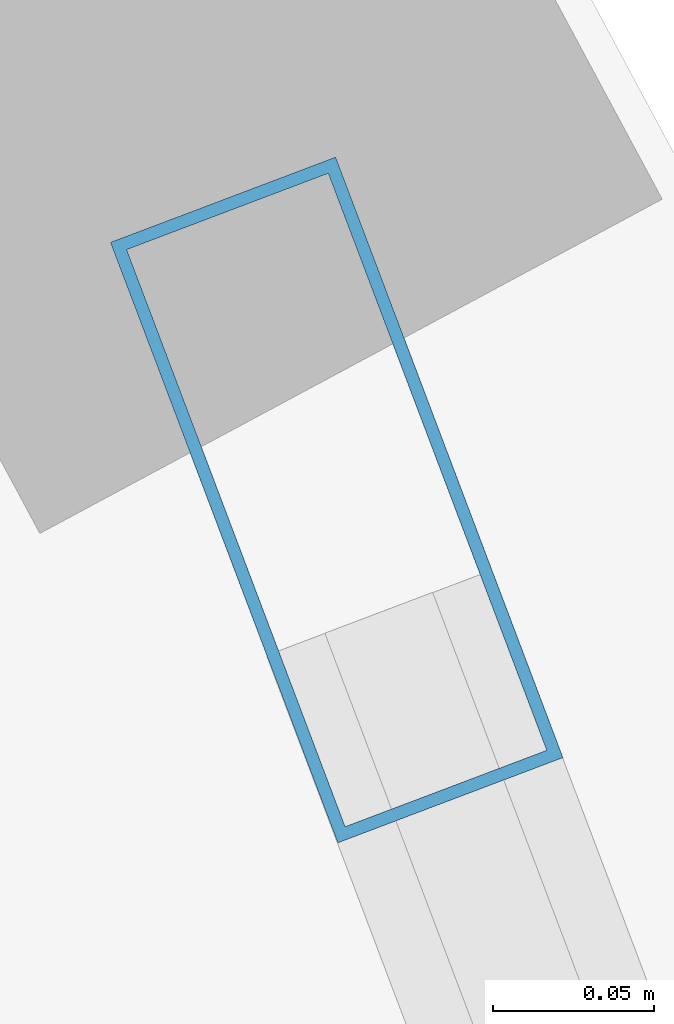
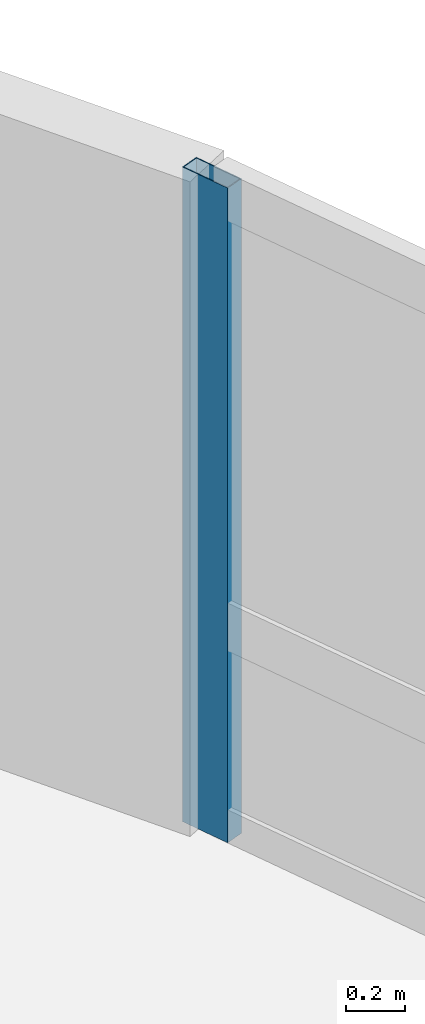
# One storey, part 10 of 20: 1 member, 1 element without a shape of its own.
"""IFC4 building model written with IfcOpenShell, lengths in metres."""

from ifc_helpers import new_model, si_unit, direction, frame, origin, origin_2d, place, context, subcontext, project, spatial, hollow_rectangle, extrude, material, layer, layer_set, material_profile, profile_set, type_object, element, aggregate, save


model = new_model("IFC4")

# Units and contexts
model_context = context("Model", 3, precision=1e-05, world=origin(), true_north=direction((0.0, 1.0)))
body_context = subcontext(model_context, "Body", "Model", "MODEL_VIEW")
ifc_project = project(units=[si_unit("LENGTHUNIT", "METRE"), si_unit("AREAUNIT", "SQUARE_METRE"), si_unit("VOLUMEUNIT", "CUBIC_METRE"), si_unit("PLANEANGLEUNIT", "RADIAN"), si_unit("MASSUNIT", "GRAM", prefix="KILO")], contexts=[model_context])

# Site, building, storey
site_placement = place(None, origin())
site = spatial("IfcSite", under=ifc_project, at=site_placement, CompositionType="ELEMENT")
building_placement = place(site_placement, origin())
building = spatial("IfcBuilding", under=site, at=building_placement, Name="Varnelok Gate Tower", CompositionType="ELEMENT")
storey_placement = place(building_placement, frame((0.0, 0.0, 220.10009765625)))
storey = spatial("IfcBuildingStorey", under=building, at=storey_placement, Name="L56", CompositionType="ELEMENT", Elevation=220.10009765625)

# Curtain wall, member
ifc_material = material(Name="Anodized Aluminum Alloy 6063-T6", Category="aluminium")
ifc_layer = layer(ifc_material, 0.179931640625)
ifc_layer_set = layer_set([ifc_layer], Name="Anodized Aluminum Alloy 6063-T6")
curtain_wall_type = type_object("IfcCurtainWallType", Name="CW4-RESIDENCE-VISION", PredefinedType="USERDEFINED", material=ifc_layer_set)
curtain_wall_placement = place(storey_placement, origin())
curtain_wall = element("IfcCurtainWall", 1, at=curtain_wall_placement, inside=storey, type_object=curtain_wall_type, Name="L56 East End Vision Curtain Wall", ObjectType="UNITISED CURTAIN WALL", PredefinedType="USERDEFINED")
ifc_material_profile = material_profile(ifc_material, hollow_rectangle(XDim=0.074951171875, YDim=0.199951171875, WallThickness=0.00390625, at=origin_2d()), Name="ALU200X75X4")
ifc_profile_set = profile_set([ifc_material_profile], Name="Anodized Aluminum Alloy 6063-T6")
member_type = type_object("IfcMemberType", Name="CW-MULL-200", PredefinedType="MULLION", material=ifc_profile_set)
member_placement = place(storey_placement, frame((64.514892578125, 51.5244140625, 0.0), z_axis=(0.0, 0.0, 1.0), x_axis=(0.935221557832, 0.354063042079, 0.0)))
member = element("IfcMember", 2, at=member_placement, type_object=member_type, Name="CW4 mullion 1", PredefinedType="MULLION", context=body_context, shape_type="SweptSolid", body=[
    extrude(hollow_rectangle(XDim=0.074951171875, YDim=0.199951171875, WallThickness=0.00390625, at=origin_2d()), origin(), (0.0, 0.0, 1.0), 2.72998046875),
])
aggregate(curtain_wall, [member])

save(model, "model.ifc")
